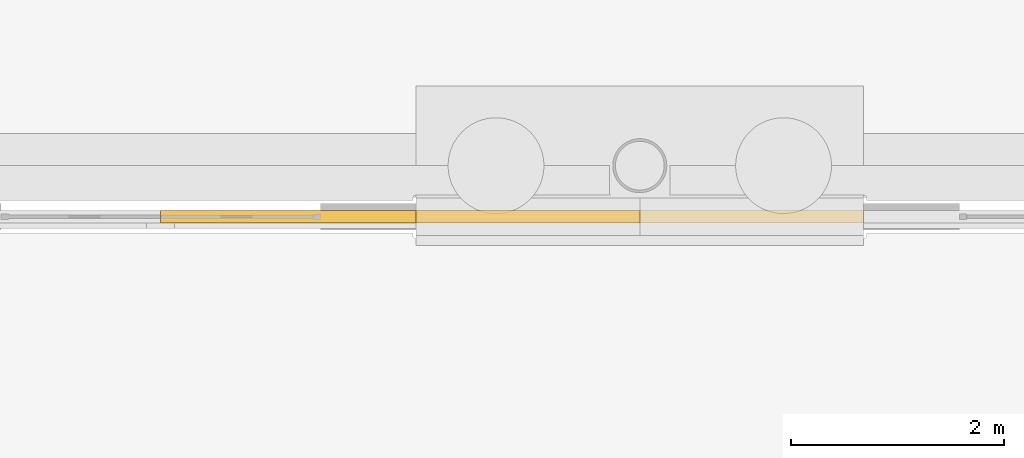
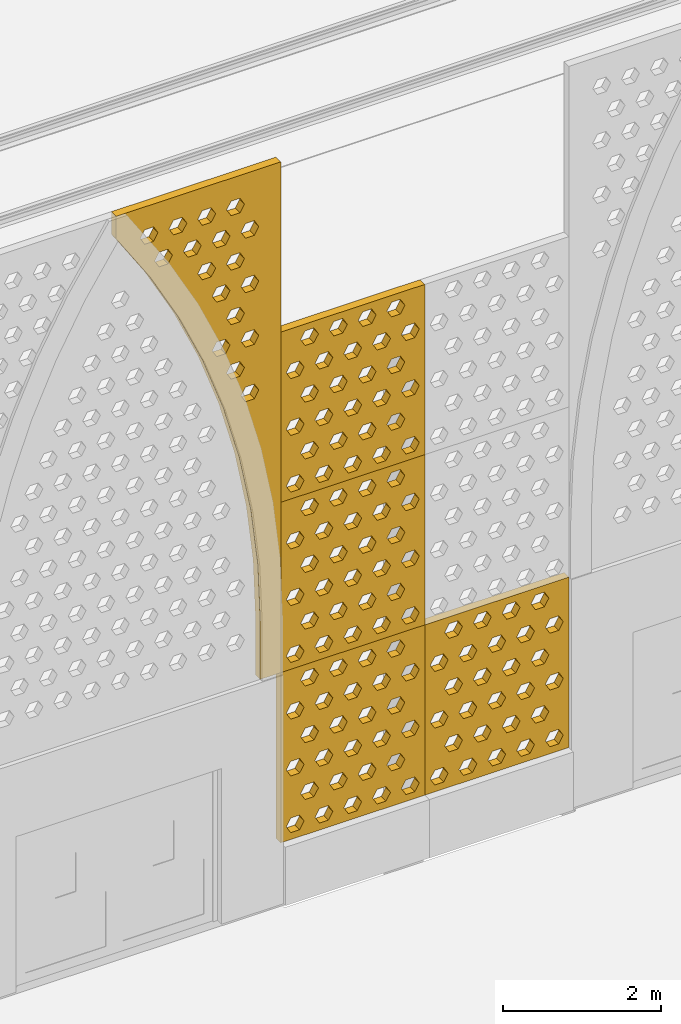
# One storey, part 199 of 250: 5 shading devices.
"""IFC4 building model written with IfcOpenShell, lengths in metres."""

from ifc_helpers import new_model, si_unit, direction, frame, origin, place, context, subcontext, project, spatial, polyline, outline, extrude, material, layer, layer_set, type_object, element, save


model = new_model("IFC4")

# Units and contexts
model_context = context("Model", 3, precision=1e-05, world=origin(), true_north=direction((0.0, 1.0)))
body_context = subcontext(model_context, "Body", "Model", "MODEL_VIEW")
ifc_project = project(units=[si_unit("LENGTHUNIT", "METRE"), si_unit("AREAUNIT", "SQUARE_METRE"), si_unit("VOLUMEUNIT", "CUBIC_METRE"), si_unit("PLANEANGLEUNIT", "RADIAN"), si_unit("MASSUNIT", "GRAM", prefix="KILO")], contexts=[model_context])

# Site, building, storey
site_placement = place(None, origin())
site = spatial("IfcSite", under=ifc_project, at=site_placement, CompositionType="ELEMENT")
building_placement = place(site_placement, origin())
building = spatial("IfcBuilding", under=site, at=building_placement, Name="Baradari Gate Terminus", CompositionType="ELEMENT")
storey_placement = place(building_placement, origin())
storey = spatial("IfcBuildingStorey", under=building, at=storey_placement, Name="L00", CompositionType="ELEMENT", Elevation=0.0)

# Shading devices
ifc_material = material(Name="Concrete C50/60 precast", Category="concrete")
ifc_layer = layer(ifc_material, 0.1201171875)
ifc_layer_set = layer_set([ifc_layer], Name="Concrete C50/60 precast")
shading_device_type = type_object("IfcShadingDeviceType", Name="Jali screen panel JS-2 120", PredefinedType="SHUTTER", material=ifc_layer_set)
shading_device_1_placement = place(storey_placement, frame((193.5, 35.52001953125, 3.52490234375), z_axis=(0.0, 0.0, 1.0), x_axis=(1.0, 0.0, 0.0)))
element("IfcShadingDevice", 1, at=shading_device_1_placement, inside=storey, type_object=shading_device_type, Name="Jali screen panel JS-2 SC04b arch R1", PredefinedType="SHUTTER", context=body_context, shape_type="SweptSolid", body=[
    extrude(outline(polyline([(0.0, 7.875), (0.0, 7.525146484375), (0.480224609375, 6.784912109375), (0.90234375, 6.01025390625), (1.263671875, 5.205322265625), (1.5625, 4.375), (1.796630859375, 3.5244140625), (1.96484375, 2.658203125), (2.066162109375, 1.78173828125), (2.10009765625, 0.900146484375), (2.10009765625, 0.0), (2.39990234375, 0.0), (2.39990234375, 7.875), (0.0, 7.875)]), holes=[polyline([(2.080078125, 4.47021484375), (2.014892578125, 4.357421875), (1.885009765625, 4.357421875), (1.820068359375, 4.47021484375), (1.885009765625, 4.582763671875), (2.014892578125, 4.582763671875), (2.080078125, 4.47021484375)]), polyline([(1.8701171875, 4.89013671875), (1.804931640625, 4.777587890625), (1.675048828125, 4.777587890625), (1.610107421875, 4.89013671875), (1.675048828125, 5.002685546875), (1.804931640625, 5.002685546875), (1.8701171875, 4.89013671875)]), polyline([(1.659912109375, 5.31005859375), (1.594970703125, 5.197509765625), (1.465087890625, 5.197509765625), (1.39990234375, 5.31005859375), (1.465087890625, 5.422607421875), (1.594970703125, 5.422607421875), (1.659912109375, 5.31005859375)]), polyline([(2.080078125, 5.31005859375), (2.014892578125, 5.197509765625), (1.885009765625, 5.197509765625), (1.820068359375, 5.31005859375), (1.885009765625, 5.422607421875), (2.014892578125, 5.422607421875), (2.080078125, 5.31005859375)]), polyline([(1.8701171875, 5.72998046875), (1.804931640625, 5.617431640625), (1.675048828125, 5.617431640625), (1.610107421875, 5.72998046875), (1.675048828125, 5.8427734375), (1.804931640625, 5.8427734375), (1.8701171875, 5.72998046875)]), polyline([(1.659912109375, 6.150146484375), (1.594970703125, 6.03759765625), (1.465087890625, 6.03759765625), (1.39990234375, 6.150146484375), (1.465087890625, 6.2626953125), (1.594970703125, 6.2626953125), (1.659912109375, 6.150146484375)]), polyline([(2.080078125, 6.150146484375), (2.014892578125, 6.03759765625), (1.885009765625, 6.03759765625), (1.820068359375, 6.150146484375), (1.885009765625, 6.2626953125), (2.014892578125, 6.2626953125), (2.080078125, 6.150146484375)]), polyline([(1.449951171875, 6.570068359375), (1.385009765625, 6.45751953125), (1.2548828125, 6.45751953125), (1.18994140625, 6.570068359375), (1.2548828125, 6.6826171875), (1.385009765625, 6.6826171875), (1.449951171875, 6.570068359375)]), polyline([(1.8701171875, 6.570068359375), (1.804931640625, 6.45751953125), (1.675048828125, 6.45751953125), (1.610107421875, 6.570068359375), (1.675048828125, 6.6826171875), (1.804931640625, 6.6826171875), (1.8701171875, 6.570068359375)]), polyline([(0.820068359375, 6.989990234375), (0.7548828125, 6.87744140625), (0.625, 6.87744140625), (0.56005859375, 6.989990234375), (0.625, 7.102783203125), (0.7548828125, 7.102783203125), (0.820068359375, 6.989990234375)]), polyline([(1.239990234375, 6.989990234375), (1.175048828125, 6.87744140625), (1.044921875, 6.87744140625), (0.97998046875, 6.989990234375), (1.044921875, 7.102783203125), (1.175048828125, 7.102783203125), (1.239990234375, 6.989990234375)]), polyline([(1.659912109375, 6.989990234375), (1.594970703125, 6.87744140625), (1.465087890625, 6.87744140625), (1.39990234375, 6.989990234375), (1.465087890625, 7.102783203125), (1.594970703125, 7.102783203125), (1.659912109375, 6.989990234375)]), polyline([(2.080078125, 6.989990234375), (2.014892578125, 6.87744140625), (1.885009765625, 6.87744140625), (1.820068359375, 6.989990234375), (1.885009765625, 7.102783203125), (2.014892578125, 7.102783203125), (2.080078125, 6.989990234375)]), polyline([(0.610107421875, 7.41015625), (0.544921875, 7.297607421875), (0.4150390625, 7.297607421875), (0.35009765625, 7.41015625), (0.4150390625, 7.522705078125), (0.544921875, 7.522705078125), (0.610107421875, 7.41015625)]), polyline([(1.030029296875, 7.41015625), (0.965087890625, 7.297607421875), (0.8349609375, 7.297607421875), (0.77001953125, 7.41015625), (0.8349609375, 7.522705078125), (0.965087890625, 7.522705078125), (1.030029296875, 7.41015625)]), polyline([(1.449951171875, 7.41015625), (1.385009765625, 7.297607421875), (1.2548828125, 7.297607421875), (1.18994140625, 7.41015625), (1.2548828125, 7.522705078125), (1.385009765625, 7.522705078125), (1.449951171875, 7.41015625)]), polyline([(1.8701171875, 7.41015625), (1.804931640625, 7.297607421875), (1.675048828125, 7.297607421875), (1.610107421875, 7.41015625), (1.675048828125, 7.522705078125), (1.804931640625, 7.522705078125), (1.8701171875, 7.41015625)])]), frame((0.0, 0.06005859375, 0.0), z_axis=(0.0, -1.0, 0.0), x_axis=(1.0, 0.0, 0.0)), (0.0, 0.0, 1.0), 0.1201171875),
])
shading_device_2_placement = place(storey_placement, frame((195.89990234375, 35.52001953125, 0.89990234375), z_axis=(0.0, 0.0, 1.0), x_axis=(1.0, 0.0, 0.0)))
element("IfcShadingDevice", 2, at=shading_device_2_placement, inside=storey, type_object=shading_device_type, Name="Jali screen panel JS-2 SC04c row 1 panel 1", PredefinedType="SHUTTER", context=body_context, shape_type="SweptSolid", body=[
    extrude(outline(polyline([(0.0, 0.0), (2.10009765625, 0.0), (2.10009765625, 2.625), (0.0, 2.625), (0.0, 0.0)]), holes=[polyline([(0.340087890625, 0.21875), (0.27490234375, 0.106201171875), (0.14501953125, 0.106201171875), (0.080078125, 0.21875), (0.14501953125, 0.33154296875), (0.27490234375, 0.33154296875), (0.340087890625, 0.21875)]), polyline([(0.760009765625, 0.21875), (0.695068359375, 0.106201171875), (0.56494140625, 0.106201171875), (0.5, 0.21875), (0.56494140625, 0.33154296875), (0.695068359375, 0.33154296875), (0.760009765625, 0.21875)]), polyline([(1.179931640625, 0.21875), (1.114990234375, 0.106201171875), (0.985107421875, 0.106201171875), (0.919921875, 0.21875), (0.985107421875, 0.33154296875), (1.114990234375, 0.33154296875), (1.179931640625, 0.21875)]), polyline([(1.60009765625, 0.21875), (1.534912109375, 0.106201171875), (1.405029296875, 0.106201171875), (1.340087890625, 0.21875), (1.405029296875, 0.33154296875), (1.534912109375, 0.33154296875), (1.60009765625, 0.21875)]), polyline([(2.02001953125, 0.21875), (1.955078125, 0.106201171875), (1.824951171875, 0.106201171875), (1.760009765625, 0.21875), (1.824951171875, 0.33154296875), (1.955078125, 0.33154296875), (2.02001953125, 0.21875)]), polyline([(0.550048828125, 0.65625), (0.485107421875, 0.543701171875), (0.35498046875, 0.543701171875), (0.2900390625, 0.65625), (0.35498046875, 0.76904296875), (0.485107421875, 0.76904296875), (0.550048828125, 0.65625)]), polyline([(0.969970703125, 0.65625), (0.905029296875, 0.543701171875), (0.77490234375, 0.543701171875), (0.7099609375, 0.65625), (0.77490234375, 0.76904296875), (0.905029296875, 0.76904296875), (0.969970703125, 0.65625)]), polyline([(1.389892578125, 0.65625), (1.324951171875, 0.543701171875), (1.195068359375, 0.543701171875), (1.1298828125, 0.65625), (1.195068359375, 0.76904296875), (1.324951171875, 0.76904296875), (1.389892578125, 0.65625)]), polyline([(1.81005859375, 0.65625), (1.7451171875, 0.543701171875), (1.614990234375, 0.543701171875), (1.550048828125, 0.65625), (1.614990234375, 0.76904296875), (1.7451171875, 0.76904296875), (1.81005859375, 0.65625)]), polyline([(0.340087890625, 1.09375), (0.27490234375, 0.981201171875), (0.14501953125, 0.981201171875), (0.080078125, 1.09375), (0.14501953125, 1.20654296875), (0.27490234375, 1.20654296875), (0.340087890625, 1.09375)]), polyline([(0.760009765625, 1.09375), (0.695068359375, 0.981201171875), (0.56494140625, 0.981201171875), (0.5, 1.09375), (0.56494140625, 1.20654296875), (0.695068359375, 1.20654296875), (0.760009765625, 1.09375)]), polyline([(1.179931640625, 1.09375), (1.114990234375, 0.981201171875), (0.985107421875, 0.981201171875), (0.919921875, 1.09375), (0.985107421875, 1.20654296875), (1.114990234375, 1.20654296875), (1.179931640625, 1.09375)]), polyline([(1.60009765625, 1.09375), (1.534912109375, 0.981201171875), (1.405029296875, 0.981201171875), (1.340087890625, 1.09375), (1.405029296875, 1.20654296875), (1.534912109375, 1.20654296875), (1.60009765625, 1.09375)]), polyline([(2.02001953125, 1.09375), (1.955078125, 0.981201171875), (1.824951171875, 0.981201171875), (1.760009765625, 1.09375), (1.824951171875, 1.20654296875), (1.955078125, 1.20654296875), (2.02001953125, 1.09375)]), polyline([(0.550048828125, 1.53125), (0.485107421875, 1.418701171875), (0.35498046875, 1.418701171875), (0.2900390625, 1.53125), (0.35498046875, 1.64404296875), (0.485107421875, 1.64404296875), (0.550048828125, 1.53125)]), polyline([(0.969970703125, 1.53125), (0.905029296875, 1.418701171875), (0.77490234375, 1.418701171875), (0.7099609375, 1.53125), (0.77490234375, 1.64404296875), (0.905029296875, 1.64404296875), (0.969970703125, 1.53125)]), polyline([(1.389892578125, 1.53125), (1.324951171875, 1.418701171875), (1.195068359375, 1.418701171875), (1.1298828125, 1.53125), (1.195068359375, 1.64404296875), (1.324951171875, 1.64404296875), (1.389892578125, 1.53125)]), polyline([(1.81005859375, 1.53125), (1.7451171875, 1.418701171875), (1.614990234375, 1.418701171875), (1.550048828125, 1.53125), (1.614990234375, 1.64404296875), (1.7451171875, 1.64404296875), (1.81005859375, 1.53125)]), polyline([(0.340087890625, 1.96875), (0.27490234375, 1.856201171875), (0.14501953125, 1.856201171875), (0.080078125, 1.96875), (0.14501953125, 2.08154296875), (0.27490234375, 2.08154296875), (0.340087890625, 1.96875)]), polyline([(0.760009765625, 1.96875), (0.695068359375, 1.856201171875), (0.56494140625, 1.856201171875), (0.5, 1.96875), (0.56494140625, 2.08154296875), (0.695068359375, 2.08154296875), (0.760009765625, 1.96875)]), polyline([(1.179931640625, 1.96875), (1.114990234375, 1.856201171875), (0.985107421875, 1.856201171875), (0.919921875, 1.96875), (0.985107421875, 2.08154296875), (1.114990234375, 2.08154296875), (1.179931640625, 1.96875)]), polyline([(1.60009765625, 1.96875), (1.534912109375, 1.856201171875), (1.405029296875, 1.856201171875), (1.340087890625, 1.96875), (1.405029296875, 2.08154296875), (1.534912109375, 2.08154296875), (1.60009765625, 1.96875)]), polyline([(2.02001953125, 1.96875), (1.955078125, 1.856201171875), (1.824951171875, 1.856201171875), (1.760009765625, 1.96875), (1.824951171875, 2.08154296875), (1.955078125, 2.08154296875), (2.02001953125, 1.96875)]), polyline([(0.550048828125, 2.40625), (0.485107421875, 2.293701171875), (0.35498046875, 2.293701171875), (0.2900390625, 2.40625), (0.35498046875, 2.51904296875), (0.485107421875, 2.51904296875), (0.550048828125, 2.40625)]), polyline([(0.969970703125, 2.40625), (0.905029296875, 2.293701171875), (0.77490234375, 2.293701171875), (0.7099609375, 2.40625), (0.77490234375, 2.51904296875), (0.905029296875, 2.51904296875), (0.969970703125, 2.40625)]), polyline([(1.389892578125, 2.40625), (1.324951171875, 2.293701171875), (1.195068359375, 2.293701171875), (1.1298828125, 2.40625), (1.195068359375, 2.51904296875), (1.324951171875, 2.51904296875), (1.389892578125, 2.40625)]), polyline([(1.81005859375, 2.40625), (1.7451171875, 2.293701171875), (1.614990234375, 2.293701171875), (1.550048828125, 2.40625), (1.614990234375, 2.51904296875), (1.7451171875, 2.51904296875), (1.81005859375, 2.40625)])]), frame((0.0, 0.06005859375, 0.0), z_axis=(0.0, -1.0, 0.0), x_axis=(1.0, 0.0, 0.0)), (0.0, 0.0, 1.0), 0.1201171875),
])
shading_device_3_placement = place(storey_placement, frame((195.89990234375, 35.52001953125, 3.52490234375), z_axis=(0.0, 0.0, 1.0), x_axis=(1.0, 0.0, 0.0)))
element("IfcShadingDevice", 3, at=shading_device_3_placement, inside=storey, type_object=shading_device_type, Name="Jali screen panel JS-2 SC04c row 2 panel 1", PredefinedType="SHUTTER", context=body_context, shape_type="SweptSolid", body=[
    extrude(outline(polyline([(0.0, 0.0), (2.10009765625, 0.0), (2.10009765625, 2.625), (0.0, 2.625), (0.0, 0.0)]), holes=[polyline([(0.340087890625, 0.21875), (0.27490234375, 0.106201171875), (0.14501953125, 0.106201171875), (0.080078125, 0.21875), (0.14501953125, 0.33154296875), (0.27490234375, 0.33154296875), (0.340087890625, 0.21875)]), polyline([(0.760009765625, 0.21875), (0.695068359375, 0.106201171875), (0.56494140625, 0.106201171875), (0.5, 0.21875), (0.56494140625, 0.33154296875), (0.695068359375, 0.33154296875), (0.760009765625, 0.21875)]), polyline([(1.179931640625, 0.21875), (1.114990234375, 0.106201171875), (0.985107421875, 0.106201171875), (0.919921875, 0.21875), (0.985107421875, 0.33154296875), (1.114990234375, 0.33154296875), (1.179931640625, 0.21875)]), polyline([(1.60009765625, 0.21875), (1.534912109375, 0.106201171875), (1.405029296875, 0.106201171875), (1.340087890625, 0.21875), (1.405029296875, 0.33154296875), (1.534912109375, 0.33154296875), (1.60009765625, 0.21875)]), polyline([(2.02001953125, 0.21875), (1.955078125, 0.106201171875), (1.824951171875, 0.106201171875), (1.760009765625, 0.21875), (1.824951171875, 0.33154296875), (1.955078125, 0.33154296875), (2.02001953125, 0.21875)]), polyline([(0.550048828125, 0.65625), (0.485107421875, 0.543701171875), (0.35498046875, 0.543701171875), (0.2900390625, 0.65625), (0.35498046875, 0.76904296875), (0.485107421875, 0.76904296875), (0.550048828125, 0.65625)]), polyline([(0.969970703125, 0.65625), (0.905029296875, 0.543701171875), (0.77490234375, 0.543701171875), (0.7099609375, 0.65625), (0.77490234375, 0.76904296875), (0.905029296875, 0.76904296875), (0.969970703125, 0.65625)]), polyline([(1.389892578125, 0.65625), (1.324951171875, 0.543701171875), (1.195068359375, 0.543701171875), (1.1298828125, 0.65625), (1.195068359375, 0.76904296875), (1.324951171875, 0.76904296875), (1.389892578125, 0.65625)]), polyline([(1.81005859375, 0.65625), (1.7451171875, 0.543701171875), (1.614990234375, 0.543701171875), (1.550048828125, 0.65625), (1.614990234375, 0.76904296875), (1.7451171875, 0.76904296875), (1.81005859375, 0.65625)]), polyline([(0.340087890625, 1.09375), (0.27490234375, 0.981201171875), (0.14501953125, 0.981201171875), (0.080078125, 1.09375), (0.14501953125, 1.20654296875), (0.27490234375, 1.20654296875), (0.340087890625, 1.09375)]), polyline([(0.760009765625, 1.09375), (0.695068359375, 0.981201171875), (0.56494140625, 0.981201171875), (0.5, 1.09375), (0.56494140625, 1.20654296875), (0.695068359375, 1.20654296875), (0.760009765625, 1.09375)]), polyline([(1.179931640625, 1.09375), (1.114990234375, 0.981201171875), (0.985107421875, 0.981201171875), (0.919921875, 1.09375), (0.985107421875, 1.20654296875), (1.114990234375, 1.20654296875), (1.179931640625, 1.09375)]), polyline([(1.60009765625, 1.09375), (1.534912109375, 0.981201171875), (1.405029296875, 0.981201171875), (1.340087890625, 1.09375), (1.405029296875, 1.20654296875), (1.534912109375, 1.20654296875), (1.60009765625, 1.09375)]), polyline([(2.02001953125, 1.09375), (1.955078125, 0.981201171875), (1.824951171875, 0.981201171875), (1.760009765625, 1.09375), (1.824951171875, 1.20654296875), (1.955078125, 1.20654296875), (2.02001953125, 1.09375)]), polyline([(0.550048828125, 1.53125), (0.485107421875, 1.418701171875), (0.35498046875, 1.418701171875), (0.2900390625, 1.53125), (0.35498046875, 1.64404296875), (0.485107421875, 1.64404296875), (0.550048828125, 1.53125)]), polyline([(0.969970703125, 1.53125), (0.905029296875, 1.418701171875), (0.77490234375, 1.418701171875), (0.7099609375, 1.53125), (0.77490234375, 1.64404296875), (0.905029296875, 1.64404296875), (0.969970703125, 1.53125)]), polyline([(1.389892578125, 1.53125), (1.324951171875, 1.418701171875), (1.195068359375, 1.418701171875), (1.1298828125, 1.53125), (1.195068359375, 1.64404296875), (1.324951171875, 1.64404296875), (1.389892578125, 1.53125)]), polyline([(1.81005859375, 1.53125), (1.7451171875, 1.418701171875), (1.614990234375, 1.418701171875), (1.550048828125, 1.53125), (1.614990234375, 1.64404296875), (1.7451171875, 1.64404296875), (1.81005859375, 1.53125)]), polyline([(0.340087890625, 1.96875), (0.27490234375, 1.856201171875), (0.14501953125, 1.856201171875), (0.080078125, 1.96875), (0.14501953125, 2.08154296875), (0.27490234375, 2.08154296875), (0.340087890625, 1.96875)]), polyline([(0.760009765625, 1.96875), (0.695068359375, 1.856201171875), (0.56494140625, 1.856201171875), (0.5, 1.96875), (0.56494140625, 2.08154296875), (0.695068359375, 2.08154296875), (0.760009765625, 1.96875)]), polyline([(1.179931640625, 1.96875), (1.114990234375, 1.856201171875), (0.985107421875, 1.856201171875), (0.919921875, 1.96875), (0.985107421875, 2.08154296875), (1.114990234375, 2.08154296875), (1.179931640625, 1.96875)]), polyline([(1.60009765625, 1.96875), (1.534912109375, 1.856201171875), (1.405029296875, 1.856201171875), (1.340087890625, 1.96875), (1.405029296875, 2.08154296875), (1.534912109375, 2.08154296875), (1.60009765625, 1.96875)]), polyline([(2.02001953125, 1.96875), (1.955078125, 1.856201171875), (1.824951171875, 1.856201171875), (1.760009765625, 1.96875), (1.824951171875, 2.08154296875), (1.955078125, 2.08154296875), (2.02001953125, 1.96875)]), polyline([(0.550048828125, 2.40625), (0.485107421875, 2.293701171875), (0.35498046875, 2.293701171875), (0.2900390625, 2.40625), (0.35498046875, 2.51904296875), (0.485107421875, 2.51904296875), (0.550048828125, 2.40625)]), polyline([(0.969970703125, 2.40625), (0.905029296875, 2.293701171875), (0.77490234375, 2.293701171875), (0.7099609375, 2.40625), (0.77490234375, 2.51904296875), (0.905029296875, 2.51904296875), (0.969970703125, 2.40625)]), polyline([(1.389892578125, 2.40625), (1.324951171875, 2.293701171875), (1.195068359375, 2.293701171875), (1.1298828125, 2.40625), (1.195068359375, 2.51904296875), (1.324951171875, 2.51904296875), (1.389892578125, 2.40625)]), polyline([(1.81005859375, 2.40625), (1.7451171875, 2.293701171875), (1.614990234375, 2.293701171875), (1.550048828125, 2.40625), (1.614990234375, 2.51904296875), (1.7451171875, 2.51904296875), (1.81005859375, 2.40625)])]), frame((0.0, 0.06005859375, 0.0), z_axis=(0.0, -1.0, 0.0), x_axis=(1.0, 0.0, 0.0)), (0.0, 0.0, 1.0), 0.1201171875),
])
shading_device_4_placement = place(storey_placement, frame((195.89990234375, 35.52001953125, 6.14990234375), z_axis=(0.0, 0.0, 1.0), x_axis=(1.0, 0.0, 0.0)))
element("IfcShadingDevice", 4, at=shading_device_4_placement, inside=storey, type_object=shading_device_type, Name="Jali screen panel JS-2 SC04c row 3 panel 1", PredefinedType="SHUTTER", context=body_context, shape_type="SweptSolid", body=[
    extrude(outline(polyline([(0.0, 0.0), (2.10009765625, 0.0), (2.10009765625, 2.625), (0.0, 2.625), (0.0, 0.0)]), holes=[polyline([(0.340087890625, 0.21875), (0.27490234375, 0.106201171875), (0.14501953125, 0.106201171875), (0.080078125, 0.21875), (0.14501953125, 0.33154296875), (0.27490234375, 0.33154296875), (0.340087890625, 0.21875)]), polyline([(0.760009765625, 0.21875), (0.695068359375, 0.106201171875), (0.56494140625, 0.106201171875), (0.5, 0.21875), (0.56494140625, 0.33154296875), (0.695068359375, 0.33154296875), (0.760009765625, 0.21875)]), polyline([(1.179931640625, 0.21875), (1.114990234375, 0.106201171875), (0.985107421875, 0.106201171875), (0.919921875, 0.21875), (0.985107421875, 0.33154296875), (1.114990234375, 0.33154296875), (1.179931640625, 0.21875)]), polyline([(1.60009765625, 0.21875), (1.534912109375, 0.106201171875), (1.405029296875, 0.106201171875), (1.340087890625, 0.21875), (1.405029296875, 0.33154296875), (1.534912109375, 0.33154296875), (1.60009765625, 0.21875)]), polyline([(2.02001953125, 0.21875), (1.955078125, 0.106201171875), (1.824951171875, 0.106201171875), (1.760009765625, 0.21875), (1.824951171875, 0.33154296875), (1.955078125, 0.33154296875), (2.02001953125, 0.21875)]), polyline([(0.550048828125, 0.65625), (0.485107421875, 0.543701171875), (0.35498046875, 0.543701171875), (0.2900390625, 0.65625), (0.35498046875, 0.76904296875), (0.485107421875, 0.76904296875), (0.550048828125, 0.65625)]), polyline([(0.969970703125, 0.65625), (0.905029296875, 0.543701171875), (0.77490234375, 0.543701171875), (0.7099609375, 0.65625), (0.77490234375, 0.76904296875), (0.905029296875, 0.76904296875), (0.969970703125, 0.65625)]), polyline([(1.389892578125, 0.65625), (1.324951171875, 0.543701171875), (1.195068359375, 0.543701171875), (1.1298828125, 0.65625), (1.195068359375, 0.76904296875), (1.324951171875, 0.76904296875), (1.389892578125, 0.65625)]), polyline([(1.81005859375, 0.65625), (1.7451171875, 0.543701171875), (1.614990234375, 0.543701171875), (1.550048828125, 0.65625), (1.614990234375, 0.76904296875), (1.7451171875, 0.76904296875), (1.81005859375, 0.65625)]), polyline([(0.340087890625, 1.09375), (0.27490234375, 0.981201171875), (0.14501953125, 0.981201171875), (0.080078125, 1.09375), (0.14501953125, 1.20654296875), (0.27490234375, 1.20654296875), (0.340087890625, 1.09375)]), polyline([(0.760009765625, 1.09375), (0.695068359375, 0.981201171875), (0.56494140625, 0.981201171875), (0.5, 1.09375), (0.56494140625, 1.20654296875), (0.695068359375, 1.20654296875), (0.760009765625, 1.09375)]), polyline([(1.179931640625, 1.09375), (1.114990234375, 0.981201171875), (0.985107421875, 0.981201171875), (0.919921875, 1.09375), (0.985107421875, 1.20654296875), (1.114990234375, 1.20654296875), (1.179931640625, 1.09375)]), polyline([(1.60009765625, 1.09375), (1.534912109375, 0.981201171875), (1.405029296875, 0.981201171875), (1.340087890625, 1.09375), (1.405029296875, 1.20654296875), (1.534912109375, 1.20654296875), (1.60009765625, 1.09375)]), polyline([(2.02001953125, 1.09375), (1.955078125, 0.981201171875), (1.824951171875, 0.981201171875), (1.760009765625, 1.09375), (1.824951171875, 1.20654296875), (1.955078125, 1.20654296875), (2.02001953125, 1.09375)]), polyline([(0.550048828125, 1.53125), (0.485107421875, 1.418701171875), (0.35498046875, 1.418701171875), (0.2900390625, 1.53125), (0.35498046875, 1.64404296875), (0.485107421875, 1.64404296875), (0.550048828125, 1.53125)]), polyline([(0.969970703125, 1.53125), (0.905029296875, 1.418701171875), (0.77490234375, 1.418701171875), (0.7099609375, 1.53125), (0.77490234375, 1.64404296875), (0.905029296875, 1.64404296875), (0.969970703125, 1.53125)]), polyline([(1.389892578125, 1.53125), (1.324951171875, 1.418701171875), (1.195068359375, 1.418701171875), (1.1298828125, 1.53125), (1.195068359375, 1.64404296875), (1.324951171875, 1.64404296875), (1.389892578125, 1.53125)]), polyline([(1.81005859375, 1.53125), (1.7451171875, 1.418701171875), (1.614990234375, 1.418701171875), (1.550048828125, 1.53125), (1.614990234375, 1.64404296875), (1.7451171875, 1.64404296875), (1.81005859375, 1.53125)]), polyline([(0.340087890625, 1.96875), (0.27490234375, 1.856201171875), (0.14501953125, 1.856201171875), (0.080078125, 1.96875), (0.14501953125, 2.08154296875), (0.27490234375, 2.08154296875), (0.340087890625, 1.96875)]), polyline([(0.760009765625, 1.96875), (0.695068359375, 1.856201171875), (0.56494140625, 1.856201171875), (0.5, 1.96875), (0.56494140625, 2.08154296875), (0.695068359375, 2.08154296875), (0.760009765625, 1.96875)]), polyline([(1.179931640625, 1.96875), (1.114990234375, 1.856201171875), (0.985107421875, 1.856201171875), (0.919921875, 1.96875), (0.985107421875, 2.08154296875), (1.114990234375, 2.08154296875), (1.179931640625, 1.96875)]), polyline([(1.60009765625, 1.96875), (1.534912109375, 1.856201171875), (1.405029296875, 1.856201171875), (1.340087890625, 1.96875), (1.405029296875, 2.08154296875), (1.534912109375, 2.08154296875), (1.60009765625, 1.96875)]), polyline([(2.02001953125, 1.96875), (1.955078125, 1.856201171875), (1.824951171875, 1.856201171875), (1.760009765625, 1.96875), (1.824951171875, 2.08154296875), (1.955078125, 2.08154296875), (2.02001953125, 1.96875)]), polyline([(0.550048828125, 2.40625), (0.485107421875, 2.293701171875), (0.35498046875, 2.293701171875), (0.2900390625, 2.40625), (0.35498046875, 2.51904296875), (0.485107421875, 2.51904296875), (0.550048828125, 2.40625)]), polyline([(0.969970703125, 2.40625), (0.905029296875, 2.293701171875), (0.77490234375, 2.293701171875), (0.7099609375, 2.40625), (0.77490234375, 2.51904296875), (0.905029296875, 2.51904296875), (0.969970703125, 2.40625)]), polyline([(1.389892578125, 2.40625), (1.324951171875, 2.293701171875), (1.195068359375, 2.293701171875), (1.1298828125, 2.40625), (1.195068359375, 2.51904296875), (1.324951171875, 2.51904296875), (1.389892578125, 2.40625)]), polyline([(1.81005859375, 2.40625), (1.7451171875, 2.293701171875), (1.614990234375, 2.293701171875), (1.550048828125, 2.40625), (1.614990234375, 2.51904296875), (1.7451171875, 2.51904296875), (1.81005859375, 2.40625)])]), frame((0.0, 0.06005859375, 0.0), z_axis=(0.0, -1.0, 0.0), x_axis=(1.0, 0.0, 0.0)), (0.0, 0.0, 1.0), 0.1201171875),
])
shading_device_5_placement = place(storey_placement, frame((198.0, 35.52001953125, 0.89990234375), z_axis=(0.0, 0.0, 1.0), x_axis=(1.0, 0.0, 0.0)))
element("IfcShadingDevice", 5, at=shading_device_5_placement, inside=storey, type_object=shading_device_type, Name="Jali screen panel JS-2 SC05a row 1 panel 1", PredefinedType="SHUTTER", context=body_context, shape_type="SweptSolid", body=[
    extrude(outline(polyline([(0.0, 0.0), (2.10009765625, 0.0), (2.10009765625, 2.625), (0.0, 2.625), (0.0, 0.0)]), holes=[polyline([(0.340087890625, 0.21875), (0.27490234375, 0.106201171875), (0.14501953125, 0.106201171875), (0.080078125, 0.21875), (0.14501953125, 0.33154296875), (0.27490234375, 0.33154296875), (0.340087890625, 0.21875)]), polyline([(0.760009765625, 0.21875), (0.695068359375, 0.106201171875), (0.56494140625, 0.106201171875), (0.5, 0.21875), (0.56494140625, 0.33154296875), (0.695068359375, 0.33154296875), (0.760009765625, 0.21875)]), polyline([(1.179931640625, 0.21875), (1.114990234375, 0.106201171875), (0.985107421875, 0.106201171875), (0.919921875, 0.21875), (0.985107421875, 0.33154296875), (1.114990234375, 0.33154296875), (1.179931640625, 0.21875)]), polyline([(1.60009765625, 0.21875), (1.534912109375, 0.106201171875), (1.405029296875, 0.106201171875), (1.340087890625, 0.21875), (1.405029296875, 0.33154296875), (1.534912109375, 0.33154296875), (1.60009765625, 0.21875)]), polyline([(2.02001953125, 0.21875), (1.955078125, 0.106201171875), (1.824951171875, 0.106201171875), (1.760009765625, 0.21875), (1.824951171875, 0.33154296875), (1.955078125, 0.33154296875), (2.02001953125, 0.21875)]), polyline([(0.550048828125, 0.65625), (0.485107421875, 0.543701171875), (0.35498046875, 0.543701171875), (0.2900390625, 0.65625), (0.35498046875, 0.76904296875), (0.485107421875, 0.76904296875), (0.550048828125, 0.65625)]), polyline([(0.969970703125, 0.65625), (0.905029296875, 0.543701171875), (0.77490234375, 0.543701171875), (0.7099609375, 0.65625), (0.77490234375, 0.76904296875), (0.905029296875, 0.76904296875), (0.969970703125, 0.65625)]), polyline([(1.389892578125, 0.65625), (1.324951171875, 0.543701171875), (1.195068359375, 0.543701171875), (1.1298828125, 0.65625), (1.195068359375, 0.76904296875), (1.324951171875, 0.76904296875), (1.389892578125, 0.65625)]), polyline([(1.81005859375, 0.65625), (1.7451171875, 0.543701171875), (1.614990234375, 0.543701171875), (1.550048828125, 0.65625), (1.614990234375, 0.76904296875), (1.7451171875, 0.76904296875), (1.81005859375, 0.65625)]), polyline([(0.340087890625, 1.09375), (0.27490234375, 0.981201171875), (0.14501953125, 0.981201171875), (0.080078125, 1.09375), (0.14501953125, 1.20654296875), (0.27490234375, 1.20654296875), (0.340087890625, 1.09375)]), polyline([(0.760009765625, 1.09375), (0.695068359375, 0.981201171875), (0.56494140625, 0.981201171875), (0.5, 1.09375), (0.56494140625, 1.20654296875), (0.695068359375, 1.20654296875), (0.760009765625, 1.09375)]), polyline([(1.179931640625, 1.09375), (1.114990234375, 0.981201171875), (0.985107421875, 0.981201171875), (0.919921875, 1.09375), (0.985107421875, 1.20654296875), (1.114990234375, 1.20654296875), (1.179931640625, 1.09375)]), polyline([(1.60009765625, 1.09375), (1.534912109375, 0.981201171875), (1.405029296875, 0.981201171875), (1.340087890625, 1.09375), (1.405029296875, 1.20654296875), (1.534912109375, 1.20654296875), (1.60009765625, 1.09375)]), polyline([(2.02001953125, 1.09375), (1.955078125, 0.981201171875), (1.824951171875, 0.981201171875), (1.760009765625, 1.09375), (1.824951171875, 1.20654296875), (1.955078125, 1.20654296875), (2.02001953125, 1.09375)]), polyline([(0.550048828125, 1.53125), (0.485107421875, 1.418701171875), (0.35498046875, 1.418701171875), (0.2900390625, 1.53125), (0.35498046875, 1.64404296875), (0.485107421875, 1.64404296875), (0.550048828125, 1.53125)]), polyline([(0.969970703125, 1.53125), (0.905029296875, 1.418701171875), (0.77490234375, 1.418701171875), (0.7099609375, 1.53125), (0.77490234375, 1.64404296875), (0.905029296875, 1.64404296875), (0.969970703125, 1.53125)]), polyline([(1.389892578125, 1.53125), (1.324951171875, 1.418701171875), (1.195068359375, 1.418701171875), (1.1298828125, 1.53125), (1.195068359375, 1.64404296875), (1.324951171875, 1.64404296875), (1.389892578125, 1.53125)]), polyline([(1.81005859375, 1.53125), (1.7451171875, 1.418701171875), (1.614990234375, 1.418701171875), (1.550048828125, 1.53125), (1.614990234375, 1.64404296875), (1.7451171875, 1.64404296875), (1.81005859375, 1.53125)]), polyline([(0.340087890625, 1.96875), (0.27490234375, 1.856201171875), (0.14501953125, 1.856201171875), (0.080078125, 1.96875), (0.14501953125, 2.08154296875), (0.27490234375, 2.08154296875), (0.340087890625, 1.96875)]), polyline([(0.760009765625, 1.96875), (0.695068359375, 1.856201171875), (0.56494140625, 1.856201171875), (0.5, 1.96875), (0.56494140625, 2.08154296875), (0.695068359375, 2.08154296875), (0.760009765625, 1.96875)]), polyline([(1.179931640625, 1.96875), (1.114990234375, 1.856201171875), (0.985107421875, 1.856201171875), (0.919921875, 1.96875), (0.985107421875, 2.08154296875), (1.114990234375, 2.08154296875), (1.179931640625, 1.96875)]), polyline([(1.60009765625, 1.96875), (1.534912109375, 1.856201171875), (1.405029296875, 1.856201171875), (1.340087890625, 1.96875), (1.405029296875, 2.08154296875), (1.534912109375, 2.08154296875), (1.60009765625, 1.96875)]), polyline([(2.02001953125, 1.96875), (1.955078125, 1.856201171875), (1.824951171875, 1.856201171875), (1.760009765625, 1.96875), (1.824951171875, 2.08154296875), (1.955078125, 2.08154296875), (2.02001953125, 1.96875)]), polyline([(0.550048828125, 2.40625), (0.485107421875, 2.293701171875), (0.35498046875, 2.293701171875), (0.2900390625, 2.40625), (0.35498046875, 2.51904296875), (0.485107421875, 2.51904296875), (0.550048828125, 2.40625)]), polyline([(0.969970703125, 2.40625), (0.905029296875, 2.293701171875), (0.77490234375, 2.293701171875), (0.7099609375, 2.40625), (0.77490234375, 2.51904296875), (0.905029296875, 2.51904296875), (0.969970703125, 2.40625)]), polyline([(1.389892578125, 2.40625), (1.324951171875, 2.293701171875), (1.195068359375, 2.293701171875), (1.1298828125, 2.40625), (1.195068359375, 2.51904296875), (1.324951171875, 2.51904296875), (1.389892578125, 2.40625)]), polyline([(1.81005859375, 2.40625), (1.7451171875, 2.293701171875), (1.614990234375, 2.293701171875), (1.550048828125, 2.40625), (1.614990234375, 2.51904296875), (1.7451171875, 2.51904296875), (1.81005859375, 2.40625)])]), frame((0.0, 0.06005859375, 0.0), z_axis=(0.0, -1.0, 0.0), x_axis=(1.0, 0.0, 0.0)), (0.0, 0.0, 1.0), 0.1201171875),
])

save(model, "model.ifc")
